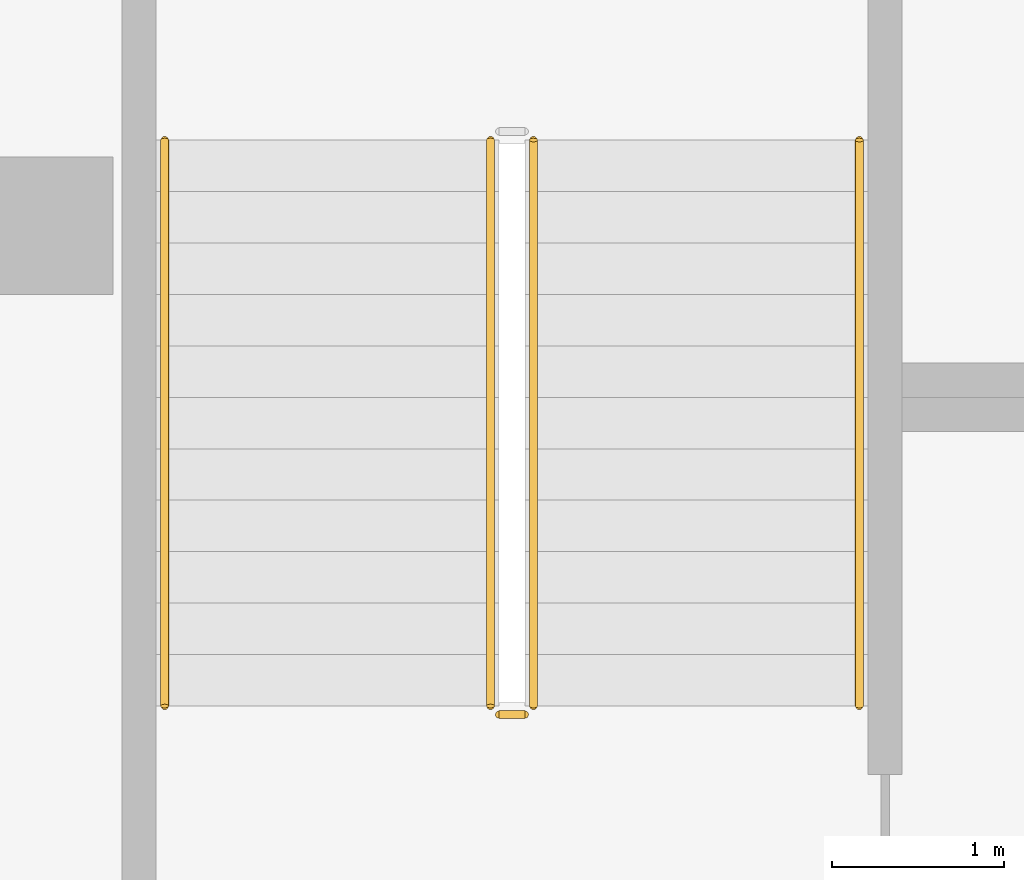
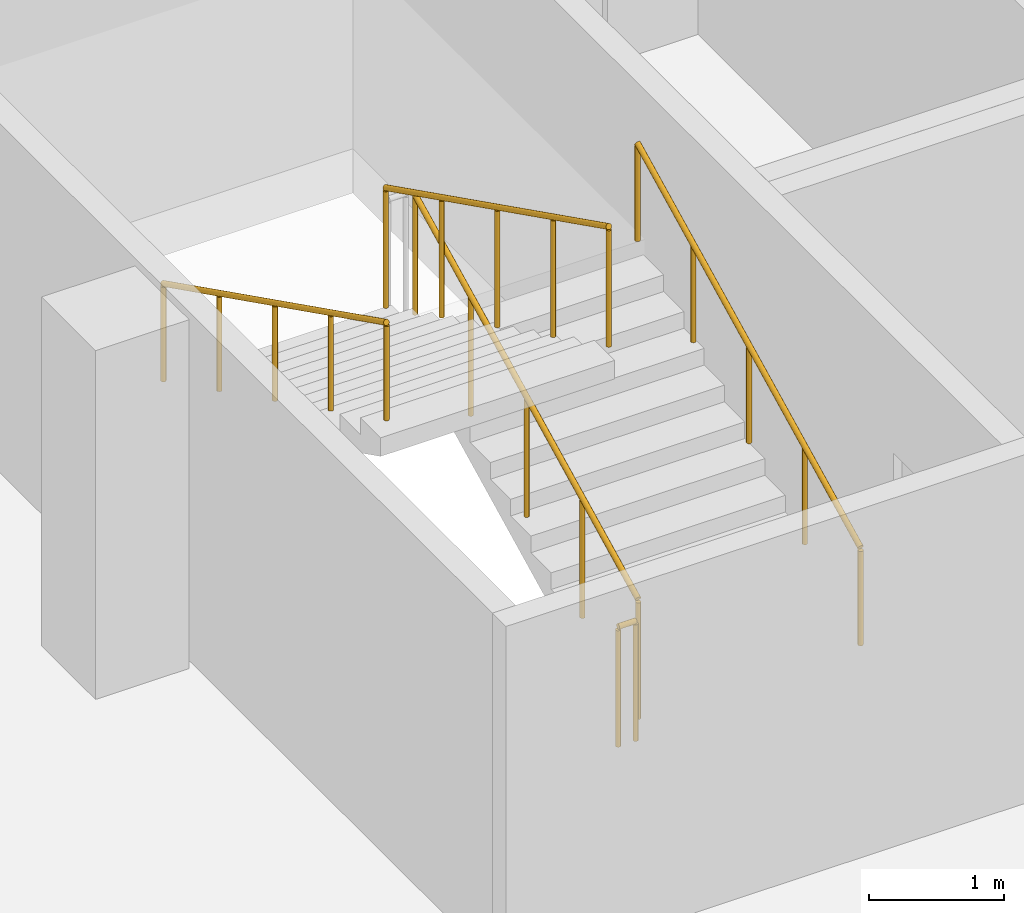
# One storey, part 23 of 37: 5 railings.
"""IFC4 building model written with IfcOpenShell, lengths in metres."""

import ifcopenshell
import ifcopenshell.guid

model = None  # the IFC model being written
_history = None  # IfcOwnerHistory: only IFC2X3 demands one
_inside = {}  # id of a spatial element -> (the spatial element, [elements in it])
_under = {}  # id of a project, library or spatial element -> (it, [spatial elements below it])
_declared = {}  # id of a project -> (the project, [libraries it declares])
_typed = {}  # id of a type object -> (the type object, [elements of that type])
_made_of = {}  # id of a material, layer set ... -> (it, [elements and type objects made of it])


def new_model(schema):
    """Start an empty IFC model of exactly this schema.

    Asked for "IFC4X3", IfcOpenShell would pick the latest addendum, in which some entities
    have other attributes; the version numbers below select the first issue.
    IFC2X3 requires an IfcOwnerHistory on every rooted entity: one is made here for all.
    """
    global model, _history
    if schema == "IFC4X3":
        model = ifcopenshell.file(schema_version=(4, 3, 0, 0))
    else:
        model = ifcopenshell.file(schema=schema)
    _inside.clear()
    _under.clear()
    _declared.clear()
    _typed.clear()
    _made_of.clear()
    _history = None
    if model.schema == "IFC2X3":
        org = make("IfcOrganization", Name="unknown")
        user = make(
            "IfcPersonAndOrganization",
            ThePerson=make("IfcPerson", FamilyName="unknown"),
            TheOrganization=org,
        )
        app = make(
            "IfcApplication",
            ApplicationDeveloper=org,
            Version="unknown",
            ApplicationFullName="unknown",
            ApplicationIdentifier="unknown",
        )
        _history = make(
            "IfcOwnerHistory",
            OwningUser=user,
            OwningApplication=app,
            ChangeAction="ADDED",
            CreationDate=0,
        )
    return model


def make(cls, **values):
    """One entity of the class cls with the attributes given. An attribute that is None is left unset."""
    return model.create_entity(
        cls, **{name: value for name, value in values.items() if value is not None}
    )


def rooted(cls, **values):
    """An entity with a GlobalId (a new one), such as an element, a storey or a relation."""
    return make(cls, GlobalId=ifcopenshell.guid.new(), OwnerHistory=_history, **values)


def si_unit(unit_type, name, prefix=None):
    """IfcSIUnit, for example si_unit("LENGTHUNIT", "METRE", prefix="MILLI")."""
    return make("IfcSIUnit", UnitType=unit_type, Prefix=prefix, Name=name)


def assignment(units):
    """IfcUnitAssignment: the units of a project."""
    return None if units is None else make("IfcUnitAssignment", Units=units)


def point(xyz):
    """IfcCartesianPoint."""
    return None if xyz is None else make("IfcCartesianPoint", Coordinates=xyz)


def direction(xyz):
    """IfcDirection."""
    return None if xyz is None else make("IfcDirection", DirectionRatios=xyz)


def frame(location, z_axis=None, x_axis=None):
    """IfcAxis2Placement3D, a coordinate frame: its origin and axes. An axis left out is left unset."""
    return make(
        "IfcAxis2Placement3D",
        Location=point(location),
        Axis=direction(z_axis),
        RefDirection=direction(x_axis),
    )


def frame_2d(location, x_axis=None):
    """IfcAxis2Placement2D, a coordinate frame in the plane: its origin and x axis."""
    return make(
        "IfcAxis2Placement2D", Location=point(location), RefDirection=direction(x_axis)
    )


def origin():
    """The frame at (0, 0, 0) with its axes left unset."""
    return frame((0.0, 0.0, 0.0))


def origin_2d():
    """The frame at (0, 0) in the plane with its x axis left unset."""
    return frame_2d((0.0, 0.0))


def place(relative_to, where):
    """IfcLocalPlacement: puts the frame where relative to a parent placement (None: the world)."""
    return make(
        "IfcLocalPlacement", PlacementRelTo=relative_to, RelativePlacement=where
    )


def context(
    kind, dimensions, precision=None, world=None, true_north=None, identifier=None
):
    """IfcGeometricRepresentationContext, for example the 3D "Model" context."""
    return make(
        "IfcGeometricRepresentationContext",
        ContextIdentifier=identifier,
        ContextType=kind,
        CoordinateSpaceDimension=dimensions,
        Precision=precision,
        WorldCoordinateSystem=world,
        TrueNorth=true_north,
    )


def subcontext(parent, identifier, kind, view, scale=None):
    """IfcGeometricRepresentationSubContext, for example "Body" below "Model"."""
    return make(
        "IfcGeometricRepresentationSubContext",
        ContextIdentifier=identifier,
        ContextType=kind,
        ParentContext=parent,
        TargetScale=scale,
        TargetView=view,
    )


def project(units=None, contexts=None):
    """IfcProject with its units and contexts."""
    return rooted(
        "IfcProject",
        Name="project",
        RepresentationContexts=contexts,
        UnitsInContext=assignment(units),
    )


def spatial(cls, under=None, at=None, **own):
    """A site, building, storey or space (cls), placed at a placement, below another one or the project."""
    s = rooted(cls, ObjectPlacement=at, **own)
    if under is not None:
        _under.setdefault(under.id(), (under, []))[1].append(s)
    return s


def profile(cls, at=None, kind="AREA", **sizes):
    """A parametric profile (cls). Its sizes go by their IFC names, for example OverallWidth=200.0."""
    return make(cls, ProfileType=kind, Position=at, **sizes)


def circle(**sizes):
    """IfcCircleProfileDef."""
    return profile("IfcCircleProfileDef", **sizes)


def extrude(swept, where, along, depth):
    """IfcExtrudedAreaSolid: the profile swept, set in the frame where, extruded along a direction by depth."""
    return make(
        "IfcExtrudedAreaSolid",
        SweptArea=swept,
        Position=where,
        ExtrudedDirection=direction(along),
        Depth=depth,
    )


def shape(context_of_items, identifier, shape_type, items):
    """IfcShapeRepresentation: the items that make up one representation, for example the "Body"."""
    return make(
        "IfcShapeRepresentation",
        ContextOfItems=context_of_items,
        RepresentationIdentifier=identifier,
        RepresentationType=shape_type,
        Items=items,
    )


def material(Name=None, Category=None):
    """IfcMaterial."""
    return make("IfcMaterial", Name=Name, Category=Category)


def made_of(thing, what):
    """Note that an element or type object is made of a material, layer set ...; save() writes the relation."""
    if what is not None:
        _made_of.setdefault(what.id(), (what, []))[1].append(thing)
    return thing


def type_object(cls, material=None, **own):
    """A type object (cls), such as IfcWallType, which elements share."""
    return made_of(rooted(cls, **own), material)


def element(
    cls,
    number,
    at=None,
    inside=None,
    cuts=None,
    type_object=None,
    material=None,
    context=None,
    identifier="Body",
    shape_type=None,
    held_by="IfcProductDefinitionShape",
    body=None,
    shapes=None,
    **own,
):
    """One element of the class cls, such as IfcWall. Its Tag is "e" and its number.

    at: its placement. inside: the storey or other place that contains it. cuts: it is an
    opening in that element (IfcRelVoidsElement). A single representation is given by context,
    identifier, shape_type and body (its items); several are given by shapes. held_by: the class
    of the entity that holds the representations. save() writes the other relations.
    """
    e = rooted(cls, Tag="e%d" % number, ObjectPlacement=at, **own)
    if body is not None:
        shapes = [shape(context, identifier, shape_type, body)]
    if shapes is not None:
        e.Representation = make(held_by, Representations=shapes)
    if inside is not None:
        _inside.setdefault(inside.id(), (inside, []))[1].append(e)
    if cuts is not None:
        rooted(
            "IfcRelVoidsElement", RelatingBuildingElement=cuts, RelatedOpeningElement=e
        )
    if type_object is not None:
        _typed.setdefault(type_object.id(), (type_object, []))[1].append(e)
    return made_of(e, material)


def aggregate(whole, parts):
    """IfcRelAggregates: a whole, such as a stair, and the parts it consists of."""
    return rooted("IfcRelAggregates", RelatingObject=whole, RelatedObjects=parts)


def save(model, path):
    """Write the relations noted so far, then the file.

    IfcRelAggregates (storeys below a building ...), IfcRelContainedInSpatialStructure (elements
    in a storey), IfcRelDefinesByType, IfcRelAssociatesMaterial and IfcRelDeclares: one each for
    every whole, place, type object, material and project.
    """
    for whole, parts in _under.values():
        aggregate(whole, parts)
    for where, things in _inside.values():
        rooted(
            "IfcRelContainedInSpatialStructure",
            RelatedElements=things,
            RelatingStructure=where,
        )
    for kind, things in _typed.values():
        rooted("IfcRelDefinesByType", RelatedObjects=things, RelatingType=kind)
    for what, things in _made_of.values():
        rooted("IfcRelAssociatesMaterial", RelatedObjects=things, RelatingMaterial=what)
    for by, libraries in _declared.values():
        rooted("IfcRelDeclares", RelatingContext=by, RelatedDefinitions=libraries)
    model.write(path)


model = new_model("IFC4")

# Units and contexts
model_context = context("Model", 3, precision=1e-05, world=origin(), true_north=direction((0.0, 1.0)))
body_context = subcontext(model_context, "Body", "Model", "MODEL_VIEW")
ifc_project = project(units=[si_unit("LENGTHUNIT", "METRE"), si_unit("AREAUNIT", "SQUARE_METRE"), si_unit("VOLUMEUNIT", "CUBIC_METRE"), si_unit("PLANEANGLEUNIT", "RADIAN"), si_unit("MASSUNIT", "GRAM", prefix="KILO")], contexts=[model_context])

# Site, building, storey
site_placement = place(None, origin())
site = spatial("IfcSite", under=ifc_project, at=site_placement, CompositionType="ELEMENT")
building_placement = place(site_placement, origin())
building = spatial("IfcBuilding", under=site, at=building_placement, Name="Tamra Quay Hotel Tower", CompositionType="ELEMENT")
storey_placement = place(building_placement, frame((0.0, 0.0, -3.60009765625)))
storey = spatial("IfcBuildingStorey", under=building, at=storey_placement, Name="B1", CompositionType="ELEMENT", Elevation=-3.60009765625)

# Railings
ifc_material_1 = material(Name="Basement stair guard 1100")
railing_type_1 = type_object("IfcRailingType", Name="Basement stair guard 1100", PredefinedType="GUARDRAIL", material=ifc_material_1)
railing_1_placement = place(storey_placement, frame((-19.050048828125, -50.800048828125, 0.150146484375)))
element("IfcRailing", 1, at=railing_1_placement, inside=storey, type_object=railing_type_1, Name="BSG", PredefinedType="GUARDRAIL", context=body_context, shape_type="SweptSolid", body=[
    extrude(circle(Radius=0.02392578125, at=origin_2d()), frame((0.0, 0.0, 1.076171875), z_axis=(0.0, 0.894440424912, 0.447187126696), x_axis=(-1.0, 0.0, 0.0)), (0.0, 0.0, 1.0), 3.689453125),
    extrude(circle(Radius=0.02099609375, at=origin_2d()), origin(), (0.0, 0.0, 1.0), 1.052001953125),
    extrude(circle(Radius=0.02099609375, at=origin_2d()), frame((0.0, 0.824951171875, 0.41259765625)), (0.0, 0.0, 1.0), 1.052001953125),
    extrude(circle(Radius=0.02099609375, at=origin_2d()), frame((0.0, 1.64990234375, 0.824951171875)), (0.0, 0.0, 1.0), 1.052001953125),
    extrude(circle(Radius=0.02099609375, at=origin_2d()), frame((0.0, 2.47509765625, 1.2373046875)), (0.0, 0.0, 1.0), 1.052001953125),
    extrude(circle(Radius=0.02099609375, at=origin_2d()), frame((0.0, 3.300048828125, 1.64990234375)), (0.0, 0.0, 1.0), 1.052001953125),
])
railing_2_placement = place(storey_placement, frame((-19.300048828125, -47.5, 1.9501953125)))
element("IfcRailing", 2, at=railing_2_placement, inside=storey, type_object=railing_type_1, Name="BSG", PredefinedType="GUARDRAIL", context=body_context, shape_type="SweptSolid", body=[
    extrude(circle(Radius=0.02392578125, at=origin_2d()), frame((0.0, 0.0, 1.076171875), z_axis=(0.0, -0.894440424912, 0.447187126696), x_axis=(1.0, 0.0, 0.0)), (0.0, 0.0, 1.0), 3.689453125),
    extrude(circle(Radius=0.02099609375, at=origin_2d()), origin(), (0.0, 0.0, 1.0), 1.052001953125),
    extrude(circle(Radius=0.02099609375, at=origin_2d()), frame((0.0, -0.824951171875, 0.41259765625)), (0.0, 0.0, 1.0), 1.052001953125),
    extrude(circle(Radius=0.02099609375, at=origin_2d()), frame((0.0, -1.64990234375, 0.824951171875)), (0.0, 0.0, 1.0), 1.052001953125),
    extrude(circle(Radius=0.02099609375, at=origin_2d()), frame((0.0, -2.47509765625, 1.2373046875)), (0.0, 0.0, 1.0), 1.052001953125),
    extrude(circle(Radius=0.02099609375, at=origin_2d()), frame((0.0, -3.300048828125, 1.64990234375)), (0.0, 0.0, 1.0), 1.052001953125),
])
railing_3_placement = place(storey_placement, frame((-19.10009765625, -50.85009765625, 0.0)))
element("IfcRailing", 3, at=railing_3_placement, inside=storey, type_object=railing_type_1, Name="BSG", PredefinedType="GUARDRAIL", context=body_context, shape_type="SweptSolid", body=[
    extrude(circle(Radius=0.02392578125, at=origin_2d()), frame((0.0, 0.0, 1.076171875), z_axis=(-1.0, 0.0, 0.0), x_axis=(0.0, -1.0, 0.0)), (0.0, 0.0, 1.0), 0.14990234375),
    extrude(circle(Radius=0.02099609375, at=origin_2d()), origin(), (0.0, 0.0, 1.0), 1.052001953125),
    extrude(circle(Radius=0.02099609375, at=origin_2d()), frame((-0.14990234375, 0.0, 0.0)), (0.0, 0.0, 1.0), 1.052001953125),
])
ifc_material_2 = material(Name="Basement stair handrail 900")
railing_type_2 = type_object("IfcRailingType", Name="Basement stair handrail 900", PredefinedType="HANDRAIL", material=ifc_material_2)
railing_4_placement = place(storey_placement, frame((-17.14990234375, -50.800048828125, 0.150146484375)))
element("IfcRailing", 4, at=railing_4_placement, inside=storey, type_object=railing_type_2, Name="BSH", PredefinedType="HANDRAIL", context=body_context, shape_type="SweptSolid", body=[
    extrude(circle(Radius=0.02392578125, at=origin_2d()), frame((0.0, 0.0, 0.8759765625), z_axis=(0.0, 0.894440424912, 0.447187126696), x_axis=(-1.0, 0.0, 0.0)), (0.0, 0.0, 1.0), 3.689453125),
    extrude(circle(Radius=0.02099609375, at=origin_2d()), origin(), (0.0, 0.0, 1.0), 0.851806640625),
    extrude(circle(Radius=0.02099609375, at=origin_2d()), frame((0.0, 0.824951171875, 0.41259765625)), (0.0, 0.0, 1.0), 0.851806640625),
    extrude(circle(Radius=0.02099609375, at=origin_2d()), frame((0.0, 1.64990234375, 0.824951171875)), (0.0, 0.0, 1.0), 0.851806640625),
    extrude(circle(Radius=0.02099609375, at=origin_2d()), frame((0.0, 2.47509765625, 1.2373046875)), (0.0, 0.0, 1.0), 0.851806640625),
    extrude(circle(Radius=0.02099609375, at=origin_2d()), frame((0.0, 3.300048828125, 1.64990234375)), (0.0, 0.0, 1.0), 0.851806640625),
])
railing_5_placement = place(storey_placement, frame((-21.199951171875, -47.5, 1.9501953125)))
element("IfcRailing", 5, at=railing_5_placement, inside=storey, type_object=railing_type_2, Name="BSH", PredefinedType="HANDRAIL", context=body_context, shape_type="SweptSolid", body=[
    extrude(circle(Radius=0.02392578125, at=origin_2d()), frame((0.0, 0.0, 0.8759765625), z_axis=(0.0, -0.894440424912, 0.447187126696), x_axis=(1.0, 0.0, 0.0)), (0.0, 0.0, 1.0), 3.689453125),
    extrude(circle(Radius=0.02099609375, at=origin_2d()), origin(), (0.0, 0.0, 1.0), 0.851806640625),
    extrude(circle(Radius=0.02099609375, at=origin_2d()), frame((0.0, -0.824951171875, 0.41259765625)), (0.0, 0.0, 1.0), 0.851806640625),
    extrude(circle(Radius=0.02099609375, at=origin_2d()), frame((0.0, -1.64990234375, 0.824951171875)), (0.0, 0.0, 1.0), 0.851806640625),
    extrude(circle(Radius=0.02099609375, at=origin_2d()), frame((0.0, -2.47509765625, 1.2373046875)), (0.0, 0.0, 1.0), 0.851806640625),
    extrude(circle(Radius=0.02099609375, at=origin_2d()), frame((0.0, -3.300048828125, 1.64990234375)), (0.0, 0.0, 1.0), 0.851806640625),
])

save(model, "model.ifc")
